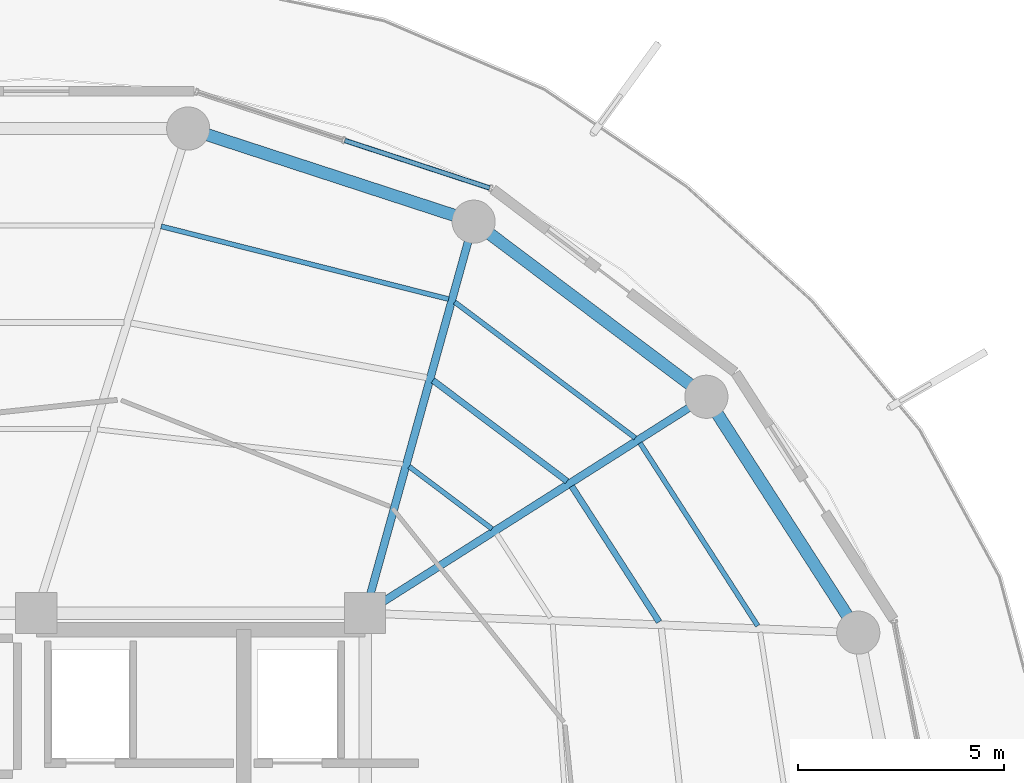
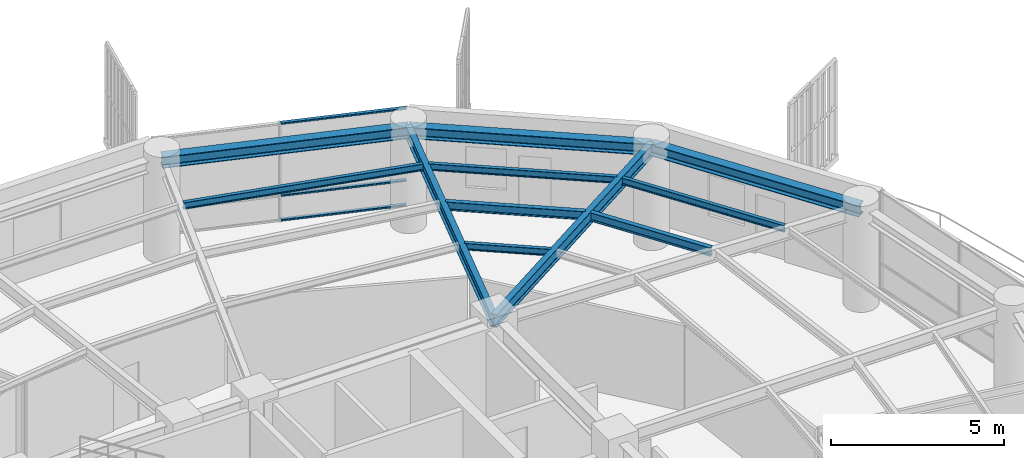
# One storey, part 21 of 31: 11 beams, 3 members, 1 element without a shape of its own.
"""IFC4 building model written with IfcOpenShell, lengths in metres."""

from ifc_helpers import new_model, si_unit, direction, frame, origin, origin_2d, place, context, subcontext, project, spatial, hollow_rectangle, i_section, extrude, material, layer, layer_set, material_profile, profile_set, type_object, element, aggregate, save


model = new_model("IFC4")

# Units and contexts
model_context = context("Model", 3, precision=1e-05, world=origin(), true_north=direction((0.0, 1.0)))
body_context = subcontext(model_context, "Body", "Model", "MODEL_VIEW")
ifc_project = project(units=[si_unit("LENGTHUNIT", "METRE"), si_unit("AREAUNIT", "SQUARE_METRE"), si_unit("VOLUMEUNIT", "CUBIC_METRE"), si_unit("PLANEANGLEUNIT", "RADIAN"), si_unit("MASSUNIT", "GRAM", prefix="KILO")], contexts=[model_context])

# Site, building, storey
site_placement = place(None, origin())
site = spatial("IfcSite", under=ifc_project, at=site_placement, CompositionType="ELEMENT")
building_placement = place(site_placement, origin())
building = spatial("IfcBuilding", under=site, at=building_placement, Name="Kelanora Arch Commons", CompositionType="ELEMENT")
storey_placement = place(building_placement, frame((0.0, 0.0, 223.199951171875)))
storey = spatial("IfcBuildingStorey", under=building, at=storey_placement, Name="L57", CompositionType="ELEMENT", Elevation=223.199951171875)

# Beams
ifc_material_1 = material(Name="Steel S355", Category="steel")
ifc_material_profile_1 = material_profile(ifc_material_1, i_section(OverallWidth=0.14990234375, OverallDepth=0.300048828125, WebThickness=0.007080078125, FlangeThickness=0.0107421875, FilletRadius=0.014892578125, at=origin_2d()), Name="IPE300")
ifc_profile_set_1 = profile_set([ifc_material_profile_1], Name="Steel S355")
beam_type_1 = type_object("IfcBeamType", Name="BM-JST-01", PredefinedType="JOIST", material=ifc_profile_set_1)
beam_1_placement = place(storey_placement, frame((89.152099609375, 64.786865234375, 3.340087890625), z_axis=(-0.541411265892, 0.840757896879, 0.0), x_axis=(-0.840757896879, -0.541411265892, 0.0)))
element("IfcBeam", 1, at=beam_1_placement, inside=storey, type_object=beam_type_1, Name="Secondary Chord Joist BJB-02 L57", PredefinedType="JOIST", context=body_context, shape_type="SweptSolid", body=[
    extrude(i_section(OverallWidth=0.14990234375, OverallDepth=0.300048828125, WebThickness=0.007080078125, FlangeThickness=0.0107421875, FilletRadius=0.014892578125, at=origin_2d()), origin(), (0.0, 0.0, 1.0), 3.92529296875),
])
beam_2_placement = place(storey_placement, frame((86.912841796875, 68.209716796875, 3.340087890625), z_axis=(-0.799101708656, 0.601195857624, 0.0), x_axis=(-0.601195857624, -0.799101708656, 0.0)))
element("IfcBeam", 2, at=beam_2_placement, inside=storey, type_object=beam_type_1, Name="Secondary Chord Joist BJB-04 L57", PredefinedType="JOIST", context=body_context, shape_type="SweptSolid", body=[
    extrude(i_section(OverallWidth=0.14990234375, OverallDepth=0.300048828125, WebThickness=0.007080078125, FlangeThickness=0.0107421875, FilletRadius=0.014892578125, at=origin_2d()), origin(), (0.0, 0.0, 1.0), 4.080810546875),
])
ifc_material_profile_2 = material_profile(ifc_material_1, i_section(OverallWidth=0.1201171875, OverallDepth=0.239990234375, WebThickness=0.006103515625, FlangeThickness=0.009765625, FilletRadius=0.014892578125, at=origin_2d()), Name="IPE240")
ifc_profile_set_2 = profile_set([ifc_material_profile_2], Name="Steel S355")
beam_type_2 = type_object("IfcBeamType", Name="BM-JST-02", PredefinedType="JOIST", material=ifc_profile_set_2)
beam_3_placement = place(storey_placement, frame((91.55126953125, 64.69189453125, 3.3701171875), z_axis=(-0.541382492679, 0.840776424872, 0.0), x_axis=(-0.840776424872, -0.541382492679, 0.0)))
element("IfcBeam", 3, at=beam_3_placement, inside=storey, type_object=beam_type_2, Name="Secondary Chord Joist BJC-02 L57", PredefinedType="JOIST", context=body_context, shape_type="SweptSolid", body=[
    extrude(i_section(OverallWidth=0.1201171875, OverallDepth=0.239990234375, WebThickness=0.006103515625, FlangeThickness=0.009765625, FilletRadius=0.014892578125, at=origin_2d()), origin(), (0.0, 0.0, 1.0), 5.29052734375),
])
beam_4_placement = place(storey_placement, frame((85.086669921875, 67.051513671875, 3.3701171875), z_axis=(-0.79911638933, 0.601176343766, 0.0), x_axis=(-0.601176343766, -0.79911638933, 0.0)))
element("IfcBeam", 4, at=beam_4_placement, inside=storey, type_object=beam_type_2, Name="Secondary Chord Joist BJA-04 L57", PredefinedType="JOIST", context=body_context, shape_type="SweptSolid", body=[
    extrude(i_section(OverallWidth=0.1201171875, OverallDepth=0.239990234375, WebThickness=0.006103515625, FlangeThickness=0.009765625, FilletRadius=0.014892578125, at=origin_2d()), origin(), (0.0, 0.0, 1.0), 2.522216796875),
])
beam_5_placement = place(storey_placement, frame((88.5732421875, 69.2626953125, 3.3701171875), z_axis=(-0.799109197935, 0.601185902842, 0.0), x_axis=(-0.601185902842, -0.799109197935, 0.0)))
element("IfcBeam", 5, at=beam_5_placement, inside=storey, type_object=beam_type_2, Name="Secondary Chord Joist BJC-04 L57", PredefinedType="JOIST", context=body_context, shape_type="SweptSolid", body=[
    extrude(i_section(OverallWidth=0.1201171875, OverallDepth=0.239990234375, WebThickness=0.006103515625, FlangeThickness=0.009765625, FilletRadius=0.014892578125, at=origin_2d()), origin(), (0.0, 0.0, 1.0), 5.497802734375),
])
beam_6_placement = place(storey_placement, frame((84.029541015625, 72.639892578125, 3.3701171875), z_axis=(-0.969370989998, 0.245601066263, 0.0), x_axis=(-0.245601066263, -0.969370989998, 0.0)))
element("IfcBeam", 6, at=beam_6_placement, inside=storey, type_object=beam_type_2, Name="Secondary Chord Joist BJC-06 L57", PredefinedType="JOIST", context=body_context, shape_type="SweptSolid", body=[
    extrude(i_section(OverallWidth=0.1201171875, OverallDepth=0.239990234375, WebThickness=0.006103515625, FlangeThickness=0.009765625, FilletRadius=0.014892578125, at=origin_2d()), origin(), (0.0, 0.0, 1.0), 7.2119140625),
])
ifc_material_profile_3 = material_profile(ifc_material_1, i_section(OverallWidth=0.18994140625, OverallDepth=0.449951171875, WebThickness=0.009521484375, FlangeThickness=0.0146484375, FilletRadius=0.02099609375, at=origin_2d()), Name="IPE450")
ifc_profile_set_3 = profile_set([ifc_material_profile_3], Name="Steel S355")
beam_type_3 = type_object("IfcBeamType", Name="BM-RAD-Z4", PredefinedType="BEAM", material=ifc_profile_set_3)
beam_7_placement = place(storey_placement, frame((82.0, 65.0, 3.26513671875), z_axis=(0.844507208607, 0.535544185489, 0.0), x_axis=(-0.535544185489, 0.844507208607, 0.0)))
element("IfcBeam", 7, at=beam_7_placement, inside=storey, type_object=beam_type_3, Name="Radial Floor Girder BR-04 L57", PredefinedType="BEAM", context=body_context, shape_type="SweptSolid", body=[
    extrude(i_section(OverallWidth=0.18994140625, OverallDepth=0.449951171875, WebThickness=0.009521484375, FlangeThickness=0.0146484375, FilletRadius=0.02099609375, at=origin_2d()), origin(), (0.0, 0.0, 1.0), 9.830078125),
])
beam_8_placement = place(storey_placement, frame((82.0, 65.0, 3.26513671875), z_axis=(0.267120164296, 0.963663228429, 0.0), x_axis=(-0.963663228429, 0.267120164296, 0.0)))
element("IfcBeam", 8, at=beam_8_placement, inside=storey, type_object=beam_type_3, Name="Radial Floor Girder BR-06 L57", PredefinedType="BEAM", context=body_context, shape_type="SweptSolid", body=[
    extrude(i_section(OverallWidth=0.18994140625, OverallDepth=0.449951171875, WebThickness=0.009521484375, FlangeThickness=0.0146484375, FilletRadius=0.02099609375, at=origin_2d()), origin(), (0.0, 0.0, 1.0), 9.8828125),
])
ifc_material_profile_4 = material_profile(ifc_material_1, i_section(OverallWidth=0.300048828125, OverallDepth=0.39990234375, WebThickness=0.013427734375, FlangeThickness=0.02392578125, FilletRadius=0.027099609375, at=origin_2d()), Name="HEB400")
ifc_profile_set_4 = profile_set([ifc_material_profile_4], Name="Steel S355")
beam_type_4 = type_object("IfcBeamType", Name="BM-SPN-Z4", PredefinedType="SPANDREL", material=ifc_profile_set_4)
beam_9_placement = place(storey_placement, frame((93.99658203125, 64.525634765625, 3.2900390625), z_axis=(-0.541364878868, 0.840787766281, 0.0), x_axis=(-0.840787766281, -0.541364878868, 0.0)))
element("IfcBeam", 9, at=beam_9_placement, inside=storey, type_object=beam_type_4, Name="Perimeter Spandrel Beam BS-02 L57", PredefinedType="SPANDREL", context=body_context, shape_type="SweptSolid", body=[
    extrude(i_section(OverallWidth=0.300048828125, OverallDepth=0.39990234375, WebThickness=0.013427734375, FlangeThickness=0.02392578125, FilletRadius=0.027099609375, at=origin_2d()), origin(), (0.0, 0.0, 1.0), 6.825439453125),
])
beam_10_placement = place(storey_placement, frame((90.301513671875, 70.264404296875, 3.2900390625), z_axis=(-0.799114211715, 0.60117923836, 0.0), x_axis=(-0.60117923836, -0.799114211715, 0.0)))
element("IfcBeam", 10, at=beam_10_placement, inside=storey, type_object=beam_type_4, Name="Perimeter Spandrel Beam BS-04 L57", PredefinedType="SPANDREL", context=body_context, shape_type="SweptSolid", body=[
    extrude(i_section(OverallWidth=0.300048828125, OverallDepth=0.39990234375, WebThickness=0.013427734375, FlangeThickness=0.02392578125, FilletRadius=0.027099609375, at=origin_2d()), origin(), (0.0, 0.0, 1.0), 7.0849609375),
])
beam_11_placement = place(storey_placement, frame((84.639892578125, 74.523681640625, 3.2900390625), z_axis=(-0.950656361143, 0.310245842872, 0.0), x_axis=(-0.310245842872, -0.950656361143, 0.0)))
element("IfcBeam", 11, at=beam_11_placement, inside=storey, type_object=beam_type_4, Name="Perimeter Spandrel Beam BS-06 L57", PredefinedType="SPANDREL", context=body_context, shape_type="SweptSolid", body=[
    extrude(i_section(OverallWidth=0.300048828125, OverallDepth=0.39990234375, WebThickness=0.013427734375, FlangeThickness=0.02392578125, FilletRadius=0.027099609375, at=origin_2d()), origin(), (0.0, 0.0, 1.0), 7.304931640625),
])

# Curtain wall, members
ifc_material_2 = material(Name="Terracotta ceramic-fritted low-E glass and aluminium", Category="masonry")
ifc_layer = layer(ifc_material_2, 0.175048828125)
ifc_layer_set = layer_set([ifc_layer], Name="Terracotta ceramic-fritted low-E glass and aluminium")
curtain_wall_type = type_object("IfcCurtainWallType", Name="CW-SYS-02", PredefinedType="NOTDEFINED", material=ifc_layer_set)
curtain_wall_placement = place(storey_placement, origin())
curtain_wall = element("IfcCurtainWall", 12, at=curtain_wall_placement, inside=storey, type_object=curtain_wall_type, Name="Unitised Curtain Wall L57-B03", PredefinedType="NOTDEFINED")
ifc_material_3 = material(Name="Powder-coated aluminium terracotta", Category="masonry")
ifc_material_profile_5 = material_profile(ifc_material_3, hollow_rectangle(XDim=0.1201171875, YDim=0.06005859375, WallThickness=0.0048828125, InnerFilletRadius=0.0048828125, OuterFilletRadius=0.010009765625, at=origin_2d()), Name="CWT120x60")
ifc_profile_set_5 = profile_set([ifc_material_profile_5], Name="Powder-coated aluminium terracotta")
member_type = type_object("IfcMemberType", Name="CWT-STD", PredefinedType="USERDEFINED", material=ifc_profile_set_5)
member_1_placement = place(storey_placement, frame((85.02880859375, 75.343994140625, 0.030029296875), z_axis=(-0.950226025222, 0.311561392011, 0.0), x_axis=(-0.311561392011, -0.950226025222, 0.0)))
member_1 = element("IfcMember", 13, at=member_1_placement, type_object=member_type, Name="CW-02 transom 1.1", ObjectType="TRANSOM", PredefinedType="USERDEFINED", context=body_context, shape_type="SweptSolid", body=[
    extrude(hollow_rectangle(XDim=0.1201171875, YDim=0.06005859375, WallThickness=0.0048828125, InnerFilletRadius=0.0048828125, OuterFilletRadius=0.010009765625, at=origin_2d()), origin(), (0.0, 0.0, 1.0), 3.707275390625),
])
member_2_placement = place(storey_placement, frame((85.02880859375, 75.343994140625, 0.900146484375), z_axis=(-0.950226025222, 0.311561392011, 0.0), x_axis=(-0.311561392011, -0.950226025222, 0.0)))
member_2 = element("IfcMember", 14, at=member_2_placement, type_object=member_type, Name="CW-02 transom 1.2", ObjectType="TRANSOM", PredefinedType="USERDEFINED", context=body_context, shape_type="SweptSolid", body=[
    extrude(hollow_rectangle(XDim=0.1201171875, YDim=0.06005859375, WallThickness=0.0048828125, InnerFilletRadius=0.0048828125, OuterFilletRadius=0.010009765625, at=origin_2d()), origin(), (0.0, 0.0, 1.0), 3.707275390625),
])
member_3_placement = place(storey_placement, frame((85.02880859375, 75.343994140625, 3.445068359375), z_axis=(-0.950226025222, 0.311561392011, 0.0), x_axis=(-0.311561392011, -0.950226025222, 0.0)))
member_3 = element("IfcMember", 15, at=member_3_placement, type_object=member_type, Name="CW-02 transom 1.3", ObjectType="TRANSOM", PredefinedType="USERDEFINED", context=body_context, shape_type="SweptSolid", body=[
    extrude(hollow_rectangle(XDim=0.1201171875, YDim=0.06005859375, WallThickness=0.0048828125, InnerFilletRadius=0.0048828125, OuterFilletRadius=0.010009765625, at=origin_2d()), origin(), (0.0, 0.0, 1.0), 3.707275390625),
])
aggregate(curtain_wall, [member_1, member_2, member_3])

save(model, "model.ifc")
